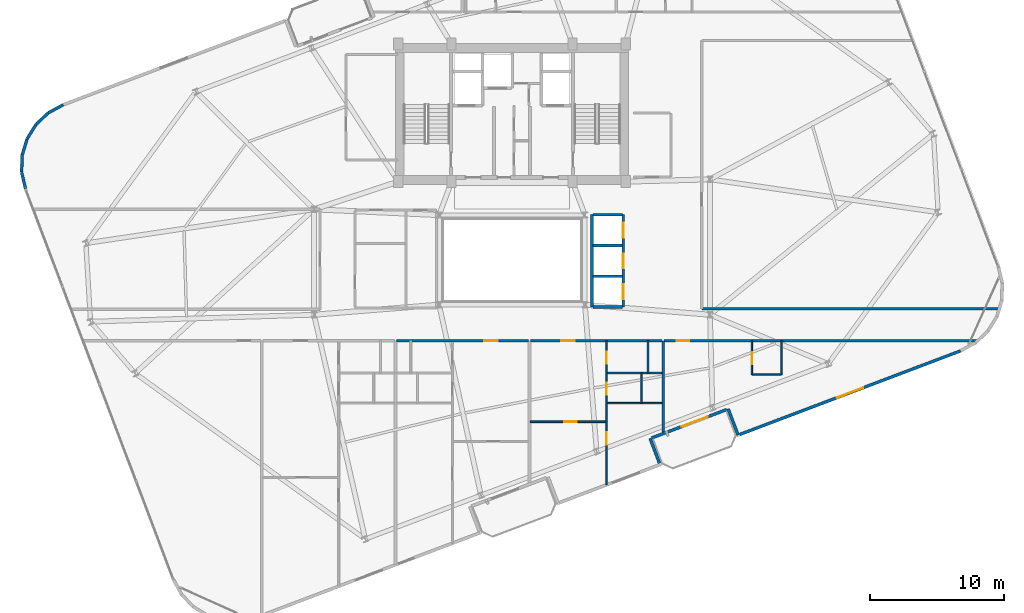
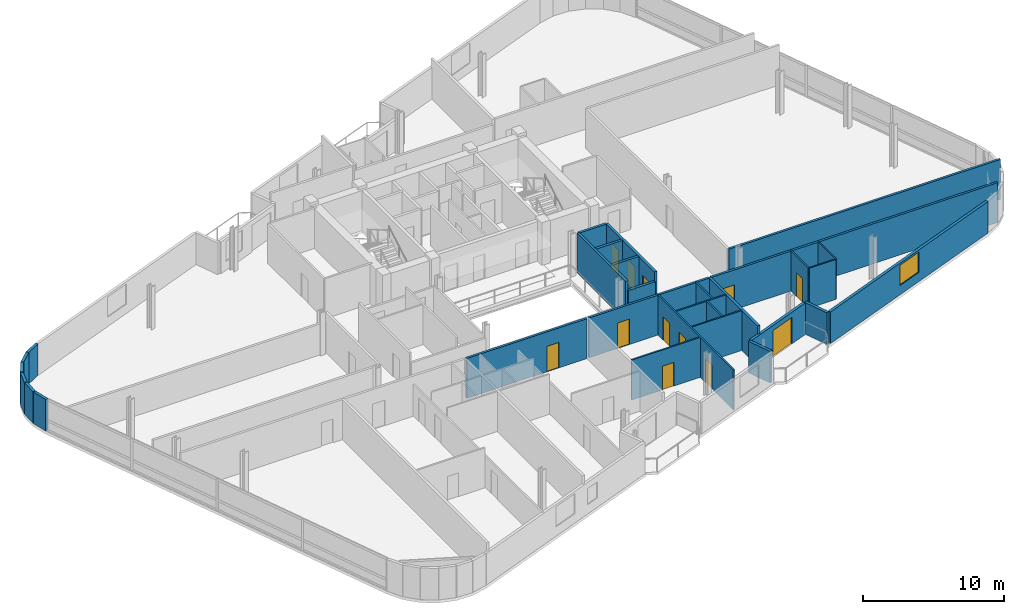
# One storey, part 19 of 24: 30 walls, 12 doors, 1 window, 13 openings.
"""IFC4 building model written with IfcOpenShell, lengths in metres."""

from ifc_helpers import new_model, si_unit, direction, frame, frame_2d, origin, place, context, subcontext, project, spatial, rectangle, extrude, material, layer, layer_set, type_object, element, fill, save


model = new_model("IFC4")

# Units and contexts
model_context = context("Model", 3, precision=1e-05, world=origin(), true_north=direction((0.0, 1.0)))
body_context = subcontext(model_context, "Body", "Model", "MODEL_VIEW")
ifc_project = project(units=[si_unit("LENGTHUNIT", "METRE"), si_unit("AREAUNIT", "SQUARE_METRE"), si_unit("VOLUMEUNIT", "CUBIC_METRE"), si_unit("PLANEANGLEUNIT", "RADIAN"), si_unit("MASSUNIT", "GRAM", prefix="KILO")], contexts=[model_context])

# Site, building, storey
site_placement = place(None, origin())
site = spatial("IfcSite", under=ifc_project, at=site_placement, CompositionType="ELEMENT")
building_placement = place(site_placement, origin())
building = spatial("IfcBuilding", under=site, at=building_placement, Name="Varnelok Gate Tower", CompositionType="ELEMENT")
storey_placement = place(building_placement, frame((0.0, 0.0, 212.699951171875)))
storey = spatial("IfcBuildingStorey", under=building, at=storey_placement, Name="L54", CompositionType="ELEMENT", Elevation=212.699951171875)

# Wall, opening, door
ifc_material_1 = material(Name="Concrete C45/55", Category="concrete")
ifc_layer_1 = layer(ifc_material_1, 0.219970703125)
ifc_layer_set_1 = layer_set([ifc_layer_1], Name="Concrete C45/55")
wall_type_1 = type_object("IfcWallType", Name="EW-BALC-220", PredefinedType="SOLIDWALL", material=ifc_layer_set_1)
wall_1_placement = place(storey_placement, frame((55.25048828125, 11.712646484375, 0.0), z_axis=(0.0, 0.0, 1.0), x_axis=(-0.935227640088, -0.354046976001, 0.0)))
wall_1 = element("IfcWall", 1, at=wall_1_placement, inside=storey, type_object=wall_type_1, Name="L54 South Terrace Envelope Wall 2", PredefinedType="SOLIDWALL", context=body_context, shape_type="SweptSolid", body=[
    extrude(rectangle(XDim=6.0, YDim=0.219970703125, at=frame_2d((3.0, 0.0))), origin(), (0.0, 0.0, 1.0), 2.72998046875),
])
opening_1_placement = place(wall_1_placement, frame((1.51611328125, 0.0, 0.0)))
opening_1 = element("IfcOpeningElement", 2, at=opening_1_placement, cuts=wall_1, Name="Opening BD-2", PredefinedType="OPENING", context=body_context, shape_type="SweptSolid", body=[
    extrude(rectangle(XDim=2.10009765625, YDim=2.300048828125, at=frame_2d((1.050048828125, 1.14990234375))), frame((0.0, 0.119873046875, 0.0), z_axis=(0.0, -1.0, 0.0), x_axis=(1.0, 0.0, 0.0)), (0.0, 0.0, 1.0), 0.239990234375),
])
ifc_material_2 = material(Name="Anodized Aluminum Alloy 6063-T6", Category="aluminium")
door_type_1 = type_object("IfcDoorType", Name="DR-EXT-SLID2100", OperationType="SLIDING_TO_LEFT", PredefinedType="DOOR", material=ifc_material_2)
door_1_placement = place(opening_1_placement, origin())
door_1 = element("IfcDoor", 3, at=door_1_placement, inside=storey, type_object=door_type_1, Name="L54 South Balcony Glazed Door 2", OperationType="SLIDING_TO_LEFT", OverallHeight=2.300048828125, OverallWidth=2.10009765625, PredefinedType="DOOR", context=body_context, shape_type="SweptSolid", body=[
    extrude(rectangle(XDim=2.10009765625, YDim=2.300048828125, at=frame_2d((1.050048828125, 1.14990234375))), frame((0.0, 0.02490234375, 0.0), z_axis=(0.0, -1.0, 0.0), x_axis=(1.0, 0.0, 0.0)), (0.0, 0.0, 1.0), 0.050048828125),
])
fill(opening_1, door_1)

# Walls
wall_2_placement = place(storey_placement, frame((50.22265625, 7.7080078125, 0.0), z_axis=(0.0, 0.0, 1.0), x_axis=(-0.354020680661, 0.935237594232, 0.0)))
element("IfcWall", 4, at=wall_2_placement, inside=storey, type_object=wall_type_1, Name="L54 Perimeter Facade Closure Wall 11", PredefinedType="SOLIDWALL", context=body_context, shape_type="SweptSolid", body=[
    extrude(rectangle(XDim=1.97509765625, YDim=0.219970703125, at=frame_2d((0.987548828125, 0.0))), origin(), (0.0, 0.0, 1.0), 2.72998046875),
])
wall_3_placement = place(storey_placement, frame((55.359130859375, 11.764404296875, 0.0), z_axis=(0.0, 0.0, 1.0), x_axis=(0.354026782794, -0.935235284334, 0.0)))
element("IfcWall", 5, at=wall_3_placement, inside=storey, type_object=wall_type_1, Name="L54 Perimeter Facade Closure Wall 12", PredefinedType="SOLIDWALL", context=body_context, shape_type="SweptSolid", body=[
    extrude(rectangle(XDim=2.099853515625, YDim=0.219970703125, at=frame_2d((1.0498046875, 0.0))), origin(), (0.0, 0.0, 1.0), 2.72998046875),
])

# Wall, opening, window
wall_4_placement = place(storey_placement, frame((56.219482421875, 9.844970703125, 0.0), z_axis=(0.0, 0.0, 1.0), x_axis=(0.935225601791, 0.354052360188, 0.0)))
wall_4 = element("IfcWall", 6, at=wall_4_placement, inside=storey, type_object=wall_type_1, Name="L54 Perimeter Facade Closure Wall 13", PredefinedType="SOLIDWALL", context=body_context, shape_type="SweptSolid", body=[
    extrude(rectangle(XDim=17.647216796875, YDim=0.219970703125, at=frame_2d((8.82373046875, 0.0))), origin(), (0.0, 0.0, 1.0), 2.72998046875),
])
opening_2_placement = place(wall_4_placement, frame((7.773681640625, 0.0, 0.800048828125)))
opening_2 = element("IfcOpeningElement", 7, at=opening_2_placement, cuts=wall_4, Name="Opening WN4", PredefinedType="OPENING", context=body_context, shape_type="SweptSolid", body=[
    extrude(rectangle(XDim=2.10009765625, YDim=1.75, at=frame_2d((1.050048828125, 0.875))), frame((0.0, 0.119873046875, 0.0), z_axis=(0.0, -1.0, 0.0), x_axis=(1.0, 0.0, 0.0)), (0.0, 0.0, 1.0), 0.239990234375),
])
ifc_material_3 = material(Name="Low-E Laminated Double Glazing IGU", Category="glass")
window_type = type_object("IfcWindowType", Name="WN-SUI-2100", PartitioningType="SINGLE_PANEL", PredefinedType="WINDOW", material=ifc_material_3)
window_placement = place(opening_2_placement, origin())
window = element("IfcWindow", 8, at=window_placement, inside=storey, type_object=window_type, Name="L54 Perimeter Vision Window 13", OverallHeight=1.75, OverallWidth=2.10009765625, PartitioningType="SINGLE_PANEL", PredefinedType="WINDOW", context=body_context, shape_type="SweptSolid", body=[
    extrude(rectangle(XDim=2.10009765625, YDim=1.75, at=frame_2d((1.050048828125, 0.875))), frame((0.0, 0.030029296875, 0.0), z_axis=(0.0, -1.0, 0.0), x_axis=(1.0, 0.0, 0.0)), (0.0, 0.0, 1.0), 0.06005859375),
])
fill(opening_2, window)

# Walls
wall_5_placement = place(storey_placement, frame((5.654296875, 34.4951171875, 0.0), z_axis=(0.0, 0.0, 1.0), x_axis=(-0.88098842986, -0.473137809155, 0.0)))
element("IfcWall", 9, at=wall_5_placement, inside=storey, type_object=wall_type_1, Name="L54 Perimeter Facade Closure Wall 33", PredefinedType="SOLIDWALL", context=body_context, shape_type="SweptSolid", body=[
    extrude(rectangle(XDim=1.25634765625, YDim=0.219970703125, at=frame_2d((0.628173828125, 0.0))), origin(), (0.0, 0.0, 1.0), 2.72998046875),
])
wall_6_placement = place(storey_placement, frame((4.529052734375, 33.883544921875, 0.0), z_axis=(0.0, 0.0, 1.0), x_axis=(-0.728475443486, -0.685071914647, 0.0)))
element("IfcWall", 10, at=wall_6_placement, inside=storey, type_object=wall_type_1, Name="L54 Perimeter Facade Closure Wall 34", PredefinedType="SOLIDWALL", context=body_context, shape_type="SweptSolid", body=[
    extrude(rectangle(XDim=1.248779296875, YDim=0.219970703125, at=frame_2d((0.62451171875, 0.0))), origin(), (0.0, 0.0, 1.0), 2.72998046875),
])
wall_7_placement = place(storey_placement, frame((3.606201171875, 33.0068359375, 0.0), z_axis=(0.0, 0.0, 1.0), x_axis=(-0.526408468713, -0.850231806078, 0.0)))
element("IfcWall", 11, at=wall_7_placement, inside=storey, type_object=wall_type_1, Name="L54 Perimeter Facade Closure Wall 35", PredefinedType="SOLIDWALL", context=body_context, shape_type="SweptSolid", body=[
    extrude(rectangle(XDim=1.24853515625, YDim=0.219970703125, at=frame_2d((0.624267578125, 0.0))), origin(), (0.0, 0.0, 1.0), 2.72998046875),
])
wall_8_placement = place(storey_placement, frame((2.941650390625, 31.92138671875, 0.0), z_axis=(0.0, 0.0, 1.0), x_axis=(-0.288352095019, -0.957524448408, 0.0)))
element("IfcWall", 12, at=wall_8_placement, inside=storey, type_object=wall_type_1, Name="L54 Perimeter Facade Closure Wall 36", PredefinedType="SOLIDWALL", context=body_context, shape_type="SweptSolid", body=[
    extrude(rectangle(XDim=1.248779296875, YDim=0.219970703125, at=frame_2d((0.62451171875, 0.0))), origin(), (0.0, 0.0, 1.0), 2.72998046875),
])
wall_9_placement = place(storey_placement, frame((2.580810546875, 30.70068359375, 0.0), z_axis=(0.0, 0.0, 1.0), x_axis=(-0.030697576053, -0.999528718359, 0.0)))
element("IfcWall", 13, at=wall_9_placement, inside=storey, type_object=wall_type_1, Name="L54 Perimeter Facade Closure Wall 37", PredefinedType="SOLIDWALL", context=body_context, shape_type="SweptSolid", body=[
    extrude(rectangle(XDim=1.24853515625, YDim=0.219970703125, at=frame_2d((0.624267578125, 0.0))), origin(), (0.0, 0.0, 1.0), 2.72998046875),
])
wall_10_placement = place(storey_placement, frame((2.548095703125, 29.428466796875, 0.0), z_axis=(0.0, 0.0, 1.0), x_axis=(0.228941257463, -0.973440239887, 0.0)))
element("IfcWall", 14, at=wall_10_placement, inside=storey, type_object=wall_type_1, Name="L54 Perimeter Facade Closure Wall 38", PredefinedType="SOLIDWALL", context=body_context, shape_type="SweptSolid", body=[
    extrude(rectangle(XDim=1.248779296875, YDim=0.219970703125, at=frame_2d((0.62451171875, 0.0))), origin(), (0.0, 0.0, 1.0), 2.72998046875),
])

# Wall, opening, door
ifc_material_4 = material(Name="Gypsum Plasterboard Acoustic Partition", Category="gypsum")
ifc_layer_2 = layer(ifc_material_4, 0.179931640625)
ifc_layer_set_2 = layer_set([ifc_layer_2], Name="Gypsum Plasterboard Acoustic Partition")
wall_type_2 = type_object("IfcWallType", Name="PW-CORR-180", PredefinedType="PARTITIONING", material=ifc_layer_set_2)
wall_11_placement = place(storey_placement, frame((30.580078125, 16.85009765625, 0.0), z_axis=(0.0, 0.0, 1.0), x_axis=(1.0, 0.0, 0.0)))
wall_11 = element("IfcWall", 15, at=wall_11_placement, inside=storey, type_object=wall_type_2, Name="Interior Partition", PredefinedType="PARTITIONING", context=body_context, shape_type="SweptSolid", body=[
    extrude(rectangle(XDim=9.83984375, YDim=0.179931640625, at=frame_2d((4.919921875, 0.0))), origin(), (0.0, 0.0, 1.0), 3.449951171875),
])
opening_3_placement = place(wall_11_placement, frame((6.537353515625, 0.0, 0.0)))
opening_3 = element("IfcOpeningElement", 16, at=opening_3_placement, cuts=wall_11, Name="Opening D-AP", PredefinedType="OPENING", context=body_context, shape_type="SweptSolid", body=[
    extrude(rectangle(XDim=1.0, YDim=2.199951171875, at=frame_2d((0.5, 1.10009765625))), frame((0.0, 0.099853515625, 0.0), z_axis=(0.0, -1.0, 0.0), x_axis=(1.0, 0.0, 0.0)), (0.0, 0.0, 1.0), 0.199951171875),
])
ifc_material_5 = material(Name="Engineered Hardwood Timber", Category="wood")
door_type_2 = type_object("IfcDoorType", Name="DR-APT-1000", OperationType="NOTDEFINED", PredefinedType="DOOR", material=ifc_material_5)
door_2_placement = place(opening_3_placement, origin())
door_2 = element("IfcDoor", 17, at=door_2_placement, inside=storey, type_object=door_type_2, Name="L54 Apartment 3 Entrance Door", OperationType="SINGLE_SWING_RIGHT", OverallHeight=2.199951171875, OverallWidth=1.0, PredefinedType="DOOR", context=body_context, shape_type="SweptSolid", body=[
    extrude(rectangle(XDim=1.0, YDim=2.199951171875, at=frame_2d((0.5, 1.10009765625))), frame((0.0, 0.02490234375, 0.0), z_axis=(0.0, -1.0, 0.0), x_axis=(1.0, 0.0, 0.0)), (0.0, 0.0, 1.0), 0.050048828125),
])
fill(opening_3, door_2)

wall_12_placement = place(storey_placement, frame((40.580078125, 16.85009765625, 0.0), z_axis=(0.0, 0.0, 1.0), x_axis=(1.0, 0.0, 0.0)))
wall_12 = element("IfcWall", 18, at=wall_12_placement, inside=storey, type_object=wall_type_2, Name="Interior Partition", PredefinedType="PARTITIONING", context=body_context, shape_type="SweptSolid", body=[
    extrude(rectangle(XDim=9.83984375, YDim=0.179931640625, at=frame_2d((4.919921875, 0.0))), origin(), (0.0, 0.0, 1.0), 3.449951171875),
])
opening_4_placement = place(wall_12_placement, frame((2.302490234375, 0.0, 0.0)))
opening_4 = element("IfcOpeningElement", 19, at=opening_4_placement, cuts=wall_12, Name="Opening D-AP", PredefinedType="OPENING", context=body_context, shape_type="SweptSolid", body=[
    extrude(rectangle(XDim=1.0, YDim=2.199951171875, at=frame_2d((0.5, 1.10009765625))), frame((0.0, 0.099853515625, 0.0), z_axis=(0.0, -1.0, 0.0), x_axis=(1.0, 0.0, 0.0)), (0.0, 0.0, 1.0), 0.199951171875),
])
door_3_placement = place(opening_4_placement, origin())
door_3 = element("IfcDoor", 20, at=door_3_placement, inside=storey, type_object=door_type_2, Name="L54 Apartment 4 Entrance Door", OperationType="SINGLE_SWING_LEFT", OverallHeight=2.199951171875, OverallWidth=1.0, PredefinedType="DOOR", context=body_context, shape_type="SweptSolid", body=[
    extrude(rectangle(XDim=1.0, YDim=2.199951171875, at=frame_2d((0.5, 1.10009765625))), frame((0.0, 0.02490234375, 0.0), z_axis=(0.0, -1.0, 0.0), x_axis=(1.0, 0.0, 0.0)), (0.0, 0.0, 1.0), 0.050048828125),
])
fill(opening_4, door_3)

wall_13_placement = place(storey_placement, frame((50.580078125, 16.85009765625, 0.0), z_axis=(0.0, 0.0, 1.0), x_axis=(1.0, 0.0, 0.0)))
wall_13 = element("IfcWall", 21, at=wall_13_placement, inside=storey, type_object=wall_type_2, Name="Interior Partition", PredefinedType="PARTITIONING", context=body_context, shape_type="SweptSolid", body=[
    extrude(rectangle(XDim=23.403564453125, YDim=0.179931640625, at=frame_2d((11.70166015625, 0.0))), origin(), (0.0, 0.0, 1.0), 3.449951171875),
])
opening_5_placement = place(wall_13_placement, frame((0.9345703125, 0.0, 0.0)))
opening_5 = element("IfcOpeningElement", 22, at=opening_5_placement, cuts=wall_13, Name="Opening D-HT", PredefinedType="OPENING", context=body_context, shape_type="SweptSolid", body=[
    extrude(rectangle(XDim=0.949951171875, YDim=2.14990234375, at=frame_2d((0.47509765625, 1.074951171875))), frame((0.0, 0.099853515625, 0.0), z_axis=(0.0, -1.0, 0.0), x_axis=(1.0, 0.0, 0.0)), (0.0, 0.0, 1.0), 0.199951171875),
])
door_type_3 = type_object("IfcDoorType", Name="DR-HTL-950", OperationType="NOTDEFINED", PredefinedType="DOOR", material=ifc_material_5)
door_4_placement = place(opening_5_placement, origin())
door_4 = element("IfcDoor", 23, at=door_4_placement, inside=storey, type_object=door_type_3, Name="L54 Guest Room 05 Entrance Door", OperationType="SINGLE_SWING_RIGHT", OverallHeight=2.14990234375, OverallWidth=0.949951171875, PredefinedType="DOOR", context=body_context, shape_type="SweptSolid", body=[
    extrude(rectangle(XDim=0.949951171875, YDim=2.14990234375, at=frame_2d((0.47509765625, 1.074951171875))), frame((0.0, 0.02490234375, 0.0), z_axis=(0.0, -1.0, 0.0), x_axis=(1.0, 0.0, 0.0)), (0.0, 0.0, 1.0), 0.050048828125),
])
fill(opening_5, door_4)

# Walls
wall_14_placement = place(storey_placement, frame((53.389892578125, 19.239990234375, 0.0), z_axis=(0.0, 0.0, 1.0), x_axis=(1.0, 0.0, 0.0)))
element("IfcWall", 24, at=wall_14_placement, inside=storey, type_object=wall_type_2, Name="Interior Partition", PredefinedType="PARTITIONING", context=body_context, shape_type="SweptSolid", body=[
    extrude(rectangle(XDim=22.216552734375, YDim=0.179931640625, at=frame_2d((11.1083984375, 0.0))), origin(), (0.0, 0.0, 1.0), 3.449951171875),
])
ifc_layer_3 = layer(ifc_material_4, 0.114990234375)
ifc_layer_set_3 = layer_set([ifc_layer_3], Name="Gypsum Plasterboard Acoustic Partition")
wall_type_3 = type_object("IfcWallType", Name="PW-ENS-125", PredefinedType="PARTITIONING", material=ifc_layer_set_3)
wall_15_placement = place(storey_placement, frame((46.3251953125, 12.199951171875, 0.0), z_axis=(0.0, 0.0, 1.0), x_axis=(1.0, 0.0, 0.0)))
element("IfcWall", 25, at=wall_15_placement, inside=storey, type_object=wall_type_3, Name="Interior Partition", PredefinedType="PARTITIONING", context=body_context, shape_type="SweptSolid", body=[
    extrude(rectangle(XDim=4.0947265625, YDim=0.114990234375, at=frame_2d((2.04736328125, 0.0))), origin(), (0.0, 0.0, 1.0), 3.449951171875),
])
wall_16_placement = place(storey_placement, frame((48.865234375, 12.199951171875, 0.0), z_axis=(0.0, 0.0, 1.0), x_axis=(0.0, 1.0, 0.0)))
element("IfcWall", 26, at=wall_16_placement, inside=storey, type_object=wall_type_3, Name="Interior Partition", PredefinedType="PARTITIONING", context=body_context, shape_type="SweptSolid", body=[
    extrude(rectangle(XDim=2.239990234375, YDim=0.114990234375, at=frame_2d((1.1201171875, 0.0))), origin(), (0.0, 0.0, 1.0), 3.449951171875),
])
wall_17_placement = place(storey_placement, frame((57.169921875, 14.330078125, 0.0), z_axis=(0.0, 0.0, 1.0), x_axis=(1.0, 0.0, 0.0)))
element("IfcWall", 27, at=wall_17_placement, inside=storey, type_object=wall_type_3, Name="Interior Partition", PredefinedType="PARTITIONING", context=body_context, shape_type="SweptSolid", body=[
    extrude(rectangle(XDim=2.150146484375, YDim=0.114990234375, at=frame_2d((1.0751953125, 0.0))), origin(), (0.0, 0.0, 1.0), 3.449951171875),
])

# Wall, opening, door
wall_18_placement = place(storey_placement, frame((57.1298828125, 14.330078125, 0.0), z_axis=(0.0, 0.0, 1.0), x_axis=(0.0, 1.0, 0.0)))
wall_18 = element("IfcWall", 28, at=wall_18_placement, inside=storey, type_object=wall_type_3, Name="Interior Partition", PredefinedType="PARTITIONING", context=body_context, shape_type="SweptSolid", body=[
    extrude(rectangle(XDim=2.52001953125, YDim=0.114990234375, at=frame_2d((1.260009765625, 0.0))), origin(), (0.0, 0.0, 1.0), 3.449951171875),
])
opening_6_placement = place(wall_18_placement, frame((0.760009765625, 0.0, 0.0)))
opening_6 = element("IfcOpeningElement", 29, at=opening_6_placement, cuts=wall_18, Name="Opening D-WC", PredefinedType="OPENING", context=body_context, shape_type="SweptSolid", body=[
    extrude(rectangle(XDim=0.89990234375, YDim=2.050048828125, at=frame_2d((0.449951171875, 1.02490234375))), frame((0.0, 0.0673828125, 0.0), z_axis=(0.0, -1.0, 0.0), x_axis=(1.0, 0.0, 0.0)), (0.0, 0.0, 1.0), 0.135009765625),
])
door_type_4 = type_object("IfcDoorType", Name="DR-BATH-900", OperationType="NOTDEFINED", PredefinedType="DOOR", material=ifc_material_5)
door_5_placement = place(opening_6_placement, origin())
door_5 = element("IfcDoor", 30, at=door_5_placement, inside=storey, type_object=door_type_4, Name="L54 Guest En-Suite 05 Door", OperationType="SINGLE_SWING_RIGHT", OverallHeight=2.050048828125, OverallWidth=0.89990234375, PredefinedType="DOOR", context=body_context, shape_type="SweptSolid", body=[
    extrude(rectangle(XDim=0.89990234375, YDim=2.050048828125, at=frame_2d((0.449951171875, 1.02490234375))), frame((0.0, 0.02490234375, 0.0), z_axis=(0.0, -1.0, 0.0), x_axis=(1.0, 0.0, 0.0)), (0.0, 0.0, 1.0), 0.050048828125),
])
fill(opening_6, door_5)

# Wall
wall_19_placement = place(storey_placement, frame((59.360107421875, 14.330078125, 0.0), z_axis=(0.0, 0.0, 1.0), x_axis=(0.0, 1.0, 0.0)))
element("IfcWall", 31, at=wall_19_placement, inside=storey, type_object=wall_type_3, Name="Interior Partition", PredefinedType="PARTITIONING", context=body_context, shape_type="SweptSolid", body=[
    extrude(rectangle(XDim=2.52001953125, YDim=0.114990234375, at=frame_2d((1.260009765625, 0.0))), origin(), (0.0, 0.0, 1.0), 3.449951171875),
])

# Wall, opening, door
ifc_layer_4 = layer(ifc_material_4, 0.125)
ifc_layer_set_4 = layer_set([ifc_layer_4], Name="Gypsum Plasterboard Acoustic Partition")
wall_type_4 = type_object("IfcWallType", Name="PW-PART-125", PredefinedType="PARTITIONING", material=ifc_layer_set_4)
wall_20_placement = place(storey_placement, frame((40.580078125, 10.8017578125, 0.0), z_axis=(0.0, 0.0, 1.0), x_axis=(1.0, 0.0, 0.0)))
wall_20 = element("IfcWall", 32, at=wall_20_placement, inside=storey, type_object=wall_type_4, Name="Interior Partition", PredefinedType="PARTITIONING", context=body_context, shape_type="SweptSolid", body=[
    extrude(rectangle(XDim=5.605224609375, YDim=0.125, at=frame_2d((2.802734375, 0.0))), origin(), (0.0, 0.0, 1.0), 3.449951171875),
])
opening_7_placement = place(wall_20_placement, frame((2.522216796875, 0.0, 0.0)))
opening_7 = element("IfcOpeningElement", 33, at=opening_7_placement, cuts=wall_20, Name="Opening D-I3", PredefinedType="OPENING", context=body_context, shape_type="SweptSolid", body=[
    extrude(rectangle(XDim=0.919921875, YDim=2.050048828125, at=frame_2d((0.4599609375, 1.02490234375))), frame((0.0, 0.072509765625, 0.0), z_axis=(0.0, -1.0, 0.0), x_axis=(1.0, 0.0, 0.0)), (0.0, 0.0, 1.0), 0.14501953125),
])
door_type_5 = type_object("IfcDoorType", Name="DR-INT-920", OperationType="NOTDEFINED", PredefinedType="DOOR", material=ifc_material_5)
door_6_placement = place(opening_7_placement, origin())
door_6 = element("IfcDoor", 34, at=door_6_placement, inside=storey, type_object=door_type_5, Name="L54 Apartment 4 Study Door", OperationType="SINGLE_SWING_LEFT", OverallHeight=2.050048828125, OverallWidth=0.919921875, PredefinedType="DOOR", context=body_context, shape_type="SweptSolid", body=[
    extrude(rectangle(XDim=0.919921875, YDim=2.050048828125, at=frame_2d((0.4599609375, 1.02490234375))), frame((0.0, 0.02490234375, 0.0), z_axis=(0.0, -1.0, 0.0), x_axis=(1.0, 0.0, 0.0)), (0.0, 0.0, 1.0), 0.050048828125),
])
fill(opening_7, door_6)

# Wall, openings, doors
wall_21_placement = place(storey_placement, frame((46.255126953125, 6.093994140625, 0.0), z_axis=(0.0, 0.0, 1.0), x_axis=(0.0, 1.0, 0.0)))
wall_21 = element("IfcWall", 35, at=wall_21_placement, inside=storey, type_object=wall_type_4, Name="Interior Partition", PredefinedType="PARTITIONING", context=body_context, shape_type="SweptSolid", body=[
    extrude(rectangle(XDim=10.756103515625, YDim=0.125, at=frame_2d((5.3779296875, 0.0))), origin(), (0.0, 0.0, 1.0), 3.449951171875),
])
opening_8_placement = place(wall_21_placement, frame((3.00341796875, 0.0, 0.0)))
opening_8 = element("IfcOpeningElement", 36, at=opening_8_placement, cuts=wall_21, Name="Opening D-I3", PredefinedType="OPENING", context=body_context, shape_type="SweptSolid", body=[
    extrude(rectangle(XDim=0.919921875, YDim=2.050048828125, at=frame_2d((0.4599609375, 1.02490234375))), frame((0.0, 0.072509765625, 0.0), z_axis=(0.0, -1.0, 0.0), x_axis=(1.0, 0.0, 0.0)), (0.0, 0.0, 1.0), 0.14501953125),
])
opening_9_placement = place(wall_21_placement, frame((6.7333984375, 0.0, 0.0)))
opening_9 = element("IfcOpeningElement", 37, at=opening_9_placement, cuts=wall_21, Name="Opening D-WC", PredefinedType="OPENING", context=body_context, shape_type="SweptSolid", body=[
    extrude(rectangle(XDim=0.89990234375, YDim=2.050048828125, at=frame_2d((0.449951171875, 1.02490234375))), frame((0.0, 0.072509765625, 0.0), z_axis=(0.0, -1.0, 0.0), x_axis=(1.0, 0.0, 0.0)), (0.0, 0.0, 1.0), 0.14501953125),
])
opening_10_placement = place(wall_21_placement, frame((9.026123046875, 0.0, 0.0)))
opening_10 = element("IfcOpeningElement", 38, at=opening_10_placement, cuts=wall_21, Name="Opening D-I3", PredefinedType="OPENING", context=body_context, shape_type="SweptSolid", body=[
    extrude(rectangle(XDim=0.919921875, YDim=2.050048828125, at=frame_2d((0.4599609375, 1.02490234375))), frame((0.0, 0.072509765625, 0.0), z_axis=(0.0, -1.0, 0.0), x_axis=(1.0, 0.0, 0.0)), (0.0, 0.0, 1.0), 0.14501953125),
])
door_7_placement = place(opening_9_placement, origin())
door_7 = element("IfcDoor", 39, at=door_7_placement, inside=storey, type_object=door_type_4, Name="L54 Apartment 4 Bathroom Door", OperationType="SINGLE_SWING_LEFT", OverallHeight=2.050048828125, OverallWidth=0.89990234375, PredefinedType="DOOR", context=body_context, shape_type="SweptSolid", body=[
    extrude(rectangle(XDim=0.89990234375, YDim=2.050048828125, at=frame_2d((0.449951171875, 1.02490234375))), frame((0.0, 0.02490234375, 0.0), z_axis=(0.0, -1.0, 0.0), x_axis=(1.0, 0.0, 0.0)), (0.0, 0.0, 1.0), 0.050048828125),
])
fill(opening_9, door_7)
door_8_placement = place(opening_8_placement, origin())
door_8 = element("IfcDoor", 40, at=door_8_placement, inside=storey, type_object=door_type_5, Name="L54 Apartment 4 Bedroom Door", OperationType="SINGLE_SWING_RIGHT", OverallHeight=2.050048828125, OverallWidth=0.919921875, PredefinedType="DOOR", context=body_context, shape_type="SweptSolid", body=[
    extrude(rectangle(XDim=0.919921875, YDim=2.050048828125, at=frame_2d((0.4599609375, 1.02490234375))), frame((0.0, 0.02490234375, 0.0), z_axis=(0.0, -1.0, 0.0), x_axis=(1.0, 0.0, 0.0)), (0.0, 0.0, 1.0), 0.050048828125),
])
fill(opening_8, door_8)
door_9_placement = place(opening_10_placement, origin())
door_9 = element("IfcDoor", 41, at=door_9_placement, inside=storey, type_object=door_type_5, Name="L54 Apartment 4 Kitchen Door", OperationType="SINGLE_SWING_RIGHT", OverallHeight=2.050048828125, OverallWidth=0.919921875, PredefinedType="DOOR", context=body_context, shape_type="SweptSolid", body=[
    extrude(rectangle(XDim=0.919921875, YDim=2.050048828125, at=frame_2d((0.4599609375, 1.02490234375))), frame((0.0, 0.02490234375, 0.0), z_axis=(0.0, -1.0, 0.0), x_axis=(1.0, 0.0, 0.0)), (0.0, 0.0, 1.0), 0.050048828125),
])
fill(opening_10, door_9)

# Walls
wall_22_placement = place(storey_placement, frame((46.3251953125, 14.43994140625, 0.0), z_axis=(0.0, 0.0, 1.0), x_axis=(1.0, 0.0, 0.0)))
element("IfcWall", 42, at=wall_22_placement, inside=storey, type_object=wall_type_4, Name="Interior Partition", PredefinedType="PARTITIONING", context=body_context, shape_type="SweptSolid", body=[
    extrude(rectangle(XDim=4.0947265625, YDim=0.125, at=frame_2d((2.04736328125, 0.0))), origin(), (0.0, 0.0, 1.0), 3.449951171875),
])
wall_23_placement = place(storey_placement, frame((49.365234375, 14.43994140625, 0.0), z_axis=(0.0, 0.0, 1.0), x_axis=(0.0, 1.0, 0.0)))
element("IfcWall", 43, at=wall_23_placement, inside=storey, type_object=wall_type_4, Name="Interior Partition", PredefinedType="PARTITIONING", context=body_context, shape_type="SweptSolid", body=[
    extrude(rectangle(XDim=2.41015625, YDim=0.125, at=frame_2d((1.205078125, 0.0))), origin(), (0.0, 0.0, 1.0), 3.449951171875),
])
ifc_layer_5 = layer(ifc_material_4, 0.205078125)
ifc_layer_set_5 = layer_set([ifc_layer_5], Name="Gypsum Plasterboard Acoustic Partition")
wall_type_5 = type_object("IfcWallType", Name="PW-PARTY-200", PredefinedType="PARTITIONING", material=ifc_layer_set_5)
wall_24_placement = place(storey_placement, frame((50.5, 9.9462890625, 0.0), z_axis=(0.0, 0.0, 1.0), x_axis=(0.0, 1.0, 0.0)))
element("IfcWall", 44, at=wall_24_placement, inside=storey, type_object=wall_type_5, Name="L54 South Party Wall 4", PredefinedType="PARTITIONING", context=body_context, shape_type="SweptSolid", body=[
    extrude(rectangle(XDim=6.90380859375, YDim=0.205078125, at=frame_2d((3.451904296875, 0.0))), origin(), (0.0, 0.0, 1.0), 3.449951171875),
])
ifc_material_6 = material(Name="Concrete C35/45", Category="concrete")
ifc_layer_6 = layer(ifc_material_6, 0.199951171875)
ifc_layer_set_6 = layer_set([ifc_layer_6], Name="Concrete C35/45")
wall_type_6 = type_object("IfcWallType", Name="PW-SHAFT-200", PredefinedType="PARTITIONING", material=ifc_layer_set_6)
for number, where, z_axis, x_axis, name in (
    (45, (45.239990234375, 21.675048828125, 0.0), (0.0, 0.0, 1.0), (1.0, 0.0, 0.0), "L54 PH1 Divider"),
    (46, (45.239990234375, 23.97509765625, 0.0), (0.0, 0.0, 1.0), (1.0, 0.0, 0.0), "L54 PH2 Divider"),
):
    element("IfcWall", number, at=place(storey_placement, frame(where, z_axis=z_axis, x_axis=x_axis)), inside=storey, type_object=wall_type_6, Name=name, PredefinedType="PARTITIONING", context=body_context, shape_type="SweptSolid", body=[
        extrude(rectangle(XDim=2.219970703125, YDim=0.199951171875, at=frame_2d((1.10986328125, 0.0))), origin(), (0.0, 0.0, 1.0), 3.449951171875),
    ])
wall_25_placement = place(storey_placement, frame((45.239990234375, 19.3798828125, 0.0), z_axis=(0.0, 0.0, 1.0), x_axis=(1.0, 0.0, 0.0)))
element("IfcWall", 47, at=wall_25_placement, inside=storey, type_object=wall_type_6, Name="L54 PH Bank South Wall", PredefinedType="PARTITIONING", context=body_context, shape_type="SweptSolid", body=[
    extrude(rectangle(XDim=2.219970703125, YDim=0.199951171875, at=frame_2d((1.10986328125, 0.0))), origin(), (0.0, 0.0, 1.0), 2.662109375),
])
wall_26_placement = place(storey_placement, frame((45.239990234375, 26.280029296875, 0.0), z_axis=(0.0, 0.0, 1.0), x_axis=(1.0, 0.0, 0.0)))
element("IfcWall", 48, at=wall_26_placement, inside=storey, type_object=wall_type_6, Name="L54 PH Bank North Wall", PredefinedType="PARTITIONING", context=body_context, shape_type="SweptSolid", body=[
    extrude(rectangle(XDim=2.219970703125, YDim=0.199951171875, at=frame_2d((1.10986328125, 0.0))), origin(), (0.0, 0.0, 1.0), 3.449951171875),
])
wall_27_placement = place(storey_placement, frame((45.179931640625, 19.3798828125, 0.0), z_axis=(0.0, 0.0, 1.0), x_axis=(0.0, 1.0, 0.0)))
element("IfcWall", 49, at=wall_27_placement, inside=storey, type_object=wall_type_6, Name="L54 PH Bank Atrium Wall", PredefinedType="PARTITIONING", context=body_context, shape_type="SweptSolid", body=[
    extrude(rectangle(XDim=6.900146484375, YDim=0.199951171875, at=frame_2d((3.4501953125, 0.0))), origin(), (0.0, 0.0, 1.0), 3.449951171875),
])

# Wall, openings, doors
wall_28_placement = place(storey_placement, frame((47.52001953125, 19.3798828125, 0.0), z_axis=(0.0, 0.0, 1.0), x_axis=(0.0, 1.0, 0.0)))
wall_28 = element("IfcWall", 50, at=wall_28_placement, inside=storey, type_object=wall_type_6, Name="L54 PH Bank Front Wall", PredefinedType="PARTITIONING", context=body_context, shape_type="SweptSolid", body=[
    extrude(rectangle(XDim=6.900146484375, YDim=0.199951171875, at=frame_2d((3.4501953125, 0.0))), origin(), (0.0, 0.0, 1.0), 3.449951171875),
])
opening_11_placement = place(wall_28_placement, frame((0.590087890625, 0.0, 0.0)))
opening_11 = element("IfcOpeningElement", 51, at=opening_11_placement, cuts=wall_28, Name="Opening LD-PH1", PredefinedType="OPENING", context=body_context, shape_type="SweptSolid", body=[
    extrude(rectangle(XDim=1.10009765625, YDim=2.14990234375, at=frame_2d((0.550048828125, 1.074951171875))), frame((0.0, 0.10986328125, 0.0), z_axis=(0.0, -1.0, 0.0), x_axis=(1.0, 0.0, 0.0)), (0.0, 0.0, 1.0), 0.219970703125),
])
opening_12_placement = place(wall_28_placement, frame((2.889892578125, 0.0, 0.0)))
opening_12 = element("IfcOpeningElement", 52, at=opening_12_placement, cuts=wall_28, Name="Opening LD-PH2", PredefinedType="OPENING", context=body_context, shape_type="SweptSolid", body=[
    extrude(rectangle(XDim=1.10009765625, YDim=2.14990234375, at=frame_2d((0.550048828125, 1.074951171875))), frame((0.0, 0.10986328125, 0.0), z_axis=(0.0, -1.0, 0.0), x_axis=(1.0, 0.0, 0.0)), (0.0, 0.0, 1.0), 0.219970703125),
])
opening_13_placement = place(wall_28_placement, frame((5.18994140625, 0.0, 0.0)))
opening_13 = element("IfcOpeningElement", 53, at=opening_13_placement, cuts=wall_28, Name="Opening LD-PH3", PredefinedType="OPENING", context=body_context, shape_type="SweptSolid", body=[
    extrude(rectangle(XDim=1.10009765625, YDim=2.14990234375, at=frame_2d((0.550048828125, 1.074951171875))), frame((0.0, 0.10986328125, 0.0), z_axis=(0.0, -1.0, 0.0), x_axis=(1.0, 0.0, 0.0)), (0.0, 0.0, 1.0), 0.219970703125),
])
ifc_material_7 = material(Name="Galvanized Steel Grade S350GD", Category="steel")
door_type_6 = type_object("IfcDoorType", Name="DR-LIFT-PAX1100", OperationType="SLIDING_TO_LEFT", PredefinedType="DOOR", material=ifc_material_7)
door_10_placement = place(opening_11_placement, origin())
door_10 = element("IfcDoor", 54, at=door_10_placement, inside=storey, type_object=door_type_6, Name="L54 Passenger Lift Landing Door LD-PH1", OperationType="SLIDING_TO_LEFT", OverallHeight=2.14990234375, OverallWidth=1.10009765625, PredefinedType="DOOR", context=body_context, shape_type="SweptSolid", body=[
    extrude(rectangle(XDim=1.10009765625, YDim=2.14990234375, at=frame_2d((0.550048828125, 1.074951171875))), frame((0.0, 0.02490234375, 0.0), z_axis=(0.0, -1.0, 0.0), x_axis=(1.0, 0.0, 0.0)), (0.0, 0.0, 1.0), 0.050048828125),
])
fill(opening_11, door_10)
door_11_placement = place(opening_12_placement, origin())
door_11 = element("IfcDoor", 55, at=door_11_placement, inside=storey, type_object=door_type_6, Name="L54 Passenger Lift Landing Door LD-PH2", OperationType="SLIDING_TO_LEFT", OverallHeight=2.14990234375, OverallWidth=1.10009765625, PredefinedType="DOOR", context=body_context, shape_type="SweptSolid", body=[
    extrude(rectangle(XDim=1.10009765625, YDim=2.14990234375, at=frame_2d((0.550048828125, 1.074951171875))), frame((0.0, 0.02490234375, 0.0), z_axis=(0.0, -1.0, 0.0), x_axis=(1.0, 0.0, 0.0)), (0.0, 0.0, 1.0), 0.050048828125),
])
fill(opening_12, door_11)
door_12_placement = place(opening_13_placement, origin())
door_12 = element("IfcDoor", 56, at=door_12_placement, inside=storey, type_object=door_type_6, Name="L54 Passenger Lift Landing Door LD-PH3", OperationType="SLIDING_TO_LEFT", OverallHeight=2.14990234375, OverallWidth=1.10009765625, PredefinedType="DOOR", context=body_context, shape_type="SweptSolid", body=[
    extrude(rectangle(XDim=1.10009765625, YDim=2.14990234375, at=frame_2d((0.550048828125, 1.074951171875))), frame((0.0, 0.02490234375, 0.0), z_axis=(0.0, -1.0, 0.0), x_axis=(1.0, 0.0, 0.0)), (0.0, 0.0, 1.0), 0.050048828125),
])
fill(opening_13, door_12)

save(model, "model.ifc")
